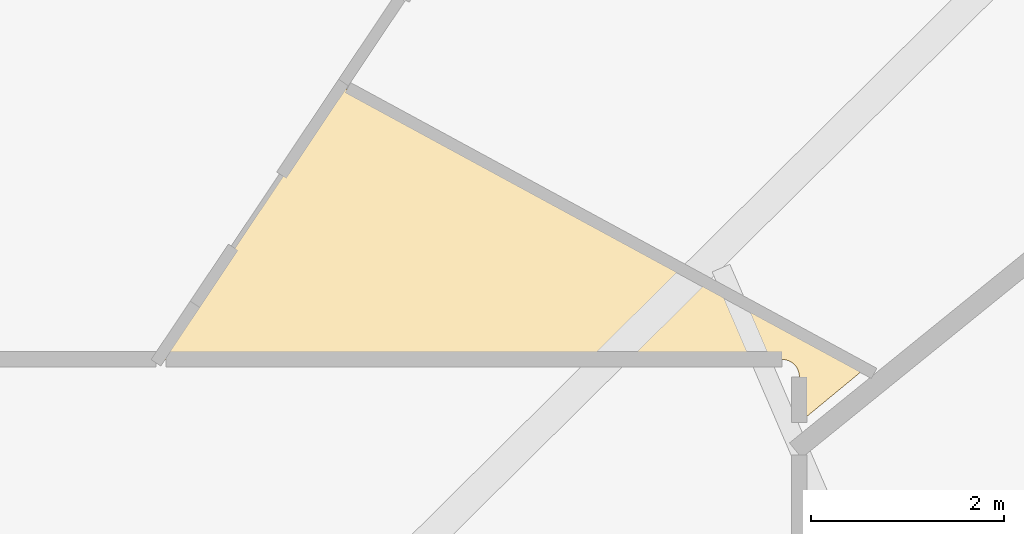
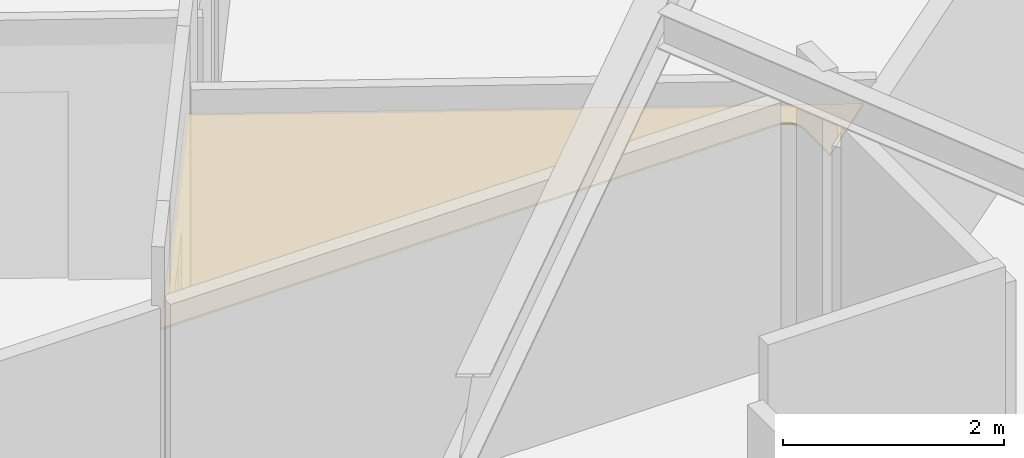
# One storey, part 27 of 27: 1 covering.
"""IFC4 building model written with IfcOpenShell, lengths in metres."""

from ifc_helpers import new_model, si_unit, direction, frame, origin, place, context, subcontext, project, spatial, polyline, outline, extrude, material, layer, layer_set, type_object, element, save


model = new_model("IFC4")

# Units and contexts
model_context = context("Model", 3, precision=1e-05, world=origin(), true_north=direction((0.0, 1.0)))
body_context = subcontext(model_context, "Body", "Model", "MODEL_VIEW")
ifc_project = project(units=[si_unit("LENGTHUNIT", "METRE"), si_unit("AREAUNIT", "SQUARE_METRE"), si_unit("VOLUMEUNIT", "CUBIC_METRE"), si_unit("PLANEANGLEUNIT", "RADIAN"), si_unit("MASSUNIT", "GRAM", prefix="KILO")], contexts=[model_context])

# Site, building, storey
site_placement = place(None, origin())
site = spatial("IfcSite", under=ifc_project, at=site_placement, CompositionType="ELEMENT")
building_placement = place(site_placement, origin())
building = spatial("IfcBuilding", under=site, at=building_placement, Name="Zuhravey Tower", CompositionType="ELEMENT")
storey_placement = place(building_placement, frame((0.0, 0.0, 173.199951171875)))
storey = spatial("IfcBuildingStorey", under=building, at=storey_placement, Name="L43", CompositionType="ELEMENT", Elevation=173.199951171875)

# Covering
ifc_material = material(Name="Moisture-resistant gypsum ceiling board")
ifc_layer = layer(ifc_material, 0.02001953125)
ifc_layer_set = layer_set([ifc_layer], Name="Moisture-resistant gypsum ceiling board")
covering_type = type_object("IfcCoveringType", Name="Moisture-Resistant Ceiling", PredefinedType="CEILING", material=ifc_layer_set)
covering_placement = place(storey_placement, frame((0.0, 0.0, 2.590087890625)))
element("IfcCovering", 1, at=covering_placement, inside=storey, type_object=covering_type, Name="L43 Wet-Room Ceiling CLG2", PredefinedType="CEILING", context=body_context, shape_type="SweptSolid", body=[
    extrude(outline(polyline([(51.830078125, 45.0751953125), (51.830078125, 45.550048828125), (51.826416015625, 45.586181640625), (51.808349609375, 45.6357421875), (51.789794921875, 45.663330078125), (51.764892578125, 45.6884765625), (51.7197265625, 45.7158203125), (51.668701171875, 45.72900390625), (45.20849609375, 45.72998046875), (47.096435546875, 48.55224609375), (52.493408203125, 45.6220703125), (51.830078125, 45.0751953125)])), origin(), (0.0, 0.0, 1.0), 0.02001953125),
])

save(model, "model.ifc")
